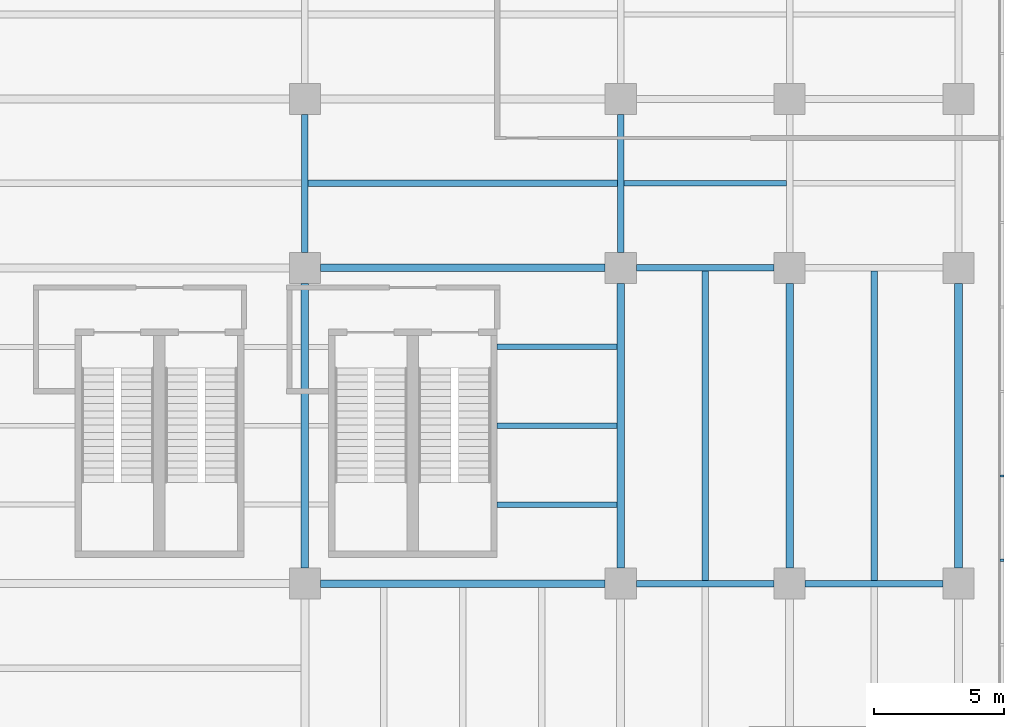
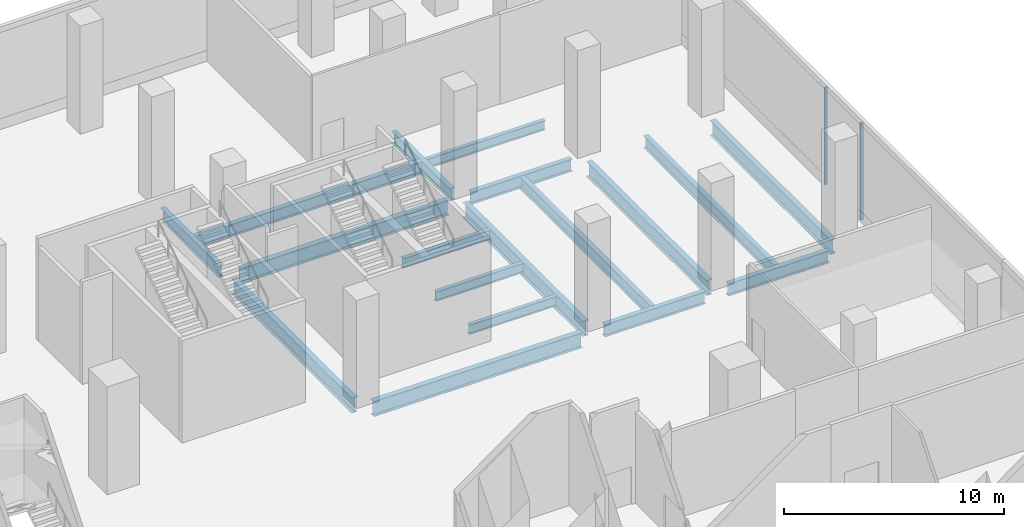
# One storey, part 26 of 41: 18 beams, 2 members, 1 element without a shape of its own.
"""IFC4 building model written with IfcOpenShell, lengths in metres."""

from ifc_helpers import new_model, si_unit, direction, frame, origin, origin_2d, place, context, subcontext, project, spatial, rectangle, i_section, extrude, source, transform, mapped, material, layer, layer_set, material_profile, profile_set, type_object, element, aggregate, save


model = new_model("IFC4")

# Units and contexts
model_context = context("Model", 3, precision=1e-05, world=origin(), true_north=direction((0.0, 1.0)))
body_context = subcontext(model_context, "Body", "Model", "MODEL_VIEW")
ifc_project = project(units=[si_unit("LENGTHUNIT", "METRE"), si_unit("AREAUNIT", "SQUARE_METRE"), si_unit("VOLUMEUNIT", "CUBIC_METRE"), si_unit("PLANEANGLEUNIT", "RADIAN"), si_unit("MASSUNIT", "GRAM", prefix="KILO")], contexts=[model_context])

# Site, building, storey
site_placement = place(None, origin())
site = spatial("IfcSite", under=ifc_project, at=site_placement, CompositionType="ELEMENT")
building_placement = place(site_placement, origin())
building = spatial("IfcBuilding", under=site, at=building_placement, Name="Trellis Farm Tower", CompositionType="ELEMENT")
storey_placement = place(building_placement, frame((0.0, 0.0, 8.0)))
storey = spatial("IfcBuildingStorey", under=building, at=storey_placement, Name="L01", CompositionType="ELEMENT", Elevation=8.0)

# Beams
ifc_material_1 = material(Name="Steel S355", Category="steel")
ifc_material_profile_1 = material_profile(ifc_material_1, i_section(OverallWidth=0.253662109375, OverallDepth=0.68359375, WebThickness=0.012451171875, FlangeThickness=0.021728515625, FilletRadius=0.01513671875, at=origin_2d()), Name="UB 686x254x140")
ifc_profile_set_1 = profile_set([ifc_material_profile_1], Name="Steel S355")
beam_type_1 = type_object("IfcBeamType", Name="UB 686x254x140", PredefinedType="BEAM", material=ifc_profile_set_1)
shared_shape_1 = source(origin(), body_context, "Body", "SweptSolid", [
    extrude(i_section(OverallWidth=0.253662109375, OverallDepth=0.68359375, WebThickness=0.012451171875, FlangeThickness=0.021728515625, FilletRadius=0.01513671875, at=origin_2d()), origin(), (0.0, 0.0, 1.0), 5.2998046875),
])
for number, where, z_axis, x_axis, name in (
    (1, (31.35009765625, 18.60009765625, -0.641845703125), (1.0, 0.0, 0.0), (0.0, 1.0, 0.0), "Girder"),
    (2, (37.85009765625, 18.60009765625, -0.641845703125), (1.0, 0.0, 0.0), (0.0, 1.0, 0.0), "Girder"),
    (3, (31.35009765625, 30.75, -0.641845703125), (1.0, 0.0, 0.0), (0.0, 1.0, 0.0), "Girder"),
    (4, (18.60009765625, 31.35009765625, -0.641845703125), (0.0, 1.0, 0.0), (-1.0, 0.0, 0.0), "Girder"),
    (5, (30.75, 31.35009765625, -0.641845703125), (0.0, 1.0, 0.0), (-1.0, 0.0, 0.0), "Girder"),
):
    element("IfcBeam", number, at=place(storey_placement, frame(where, z_axis=z_axis, x_axis=x_axis)), inside=storey, type_object=beam_type_1, Name=name, PredefinedType="BEAM", context=body_context, shape_type="MappedRepresentation", body=[
        mapped(shared_shape_1, transform((0.0, 0.0, 0.0))),
    ])
ifc_material_profile_2 = material_profile(ifc_material_1, i_section(OverallWidth=0.29248046875, OverallDepth=0.8408203125, WebThickness=0.0146484375, FlangeThickness=0.021728515625, FilletRadius=0.017822265625, at=origin_2d()), Name="UB 838x292x194")
ifc_profile_set_2 = profile_set([ifc_material_profile_2], Name="Steel S355")
beam_type_2 = type_object("IfcBeamType", Name="UB 838x292x194", PredefinedType="BEAM", material=ifc_profile_set_2)
shared_shape_2 = source(origin(), body_context, "Body", "SweptSolid", [
    extrude(i_section(OverallWidth=0.29248046875, OverallDepth=0.8408203125, WebThickness=0.0146484375, FlangeThickness=0.021728515625, FilletRadius=0.017822265625, at=origin_2d()), origin(), (0.0, 0.0, 1.0), 10.949951171875),
])
for number, where, z_axis, x_axis, name in (
    (6, (19.199951171875, 18.60009765625, -0.72021484375), (1.0, 0.0, 0.0), (0.0, 1.0, 0.0), "Girder"),
    (7, (19.199951171875, 30.75, -0.72021484375), (1.0, 0.0, 0.0), (0.0, 1.0, 0.0), "Girder"),
    (8, (18.60009765625, 19.199951171875, -0.72021484375), (0.0, 1.0, 0.0), (-1.0, 0.0, 0.0), "Girder"),
    (9, (30.75, 19.199951171875, -0.72021484375), (0.0, 1.0, 0.0), (-1.0, 0.0, 0.0), "Girder"),
    (10, (37.25, 19.199951171875, -0.72021484375), (0.0, 1.0, 0.0), (-1.0, 0.0, 0.0), "Girder"),
    (11, (43.75, 19.199951171875, -0.72021484375), (0.0, 1.0, 0.0), (-1.0, 0.0, 0.0), "Girder"),
):
    element("IfcBeam", number, at=place(storey_placement, frame(where, z_axis=z_axis, x_axis=x_axis)), inside=storey, type_object=beam_type_2, Name=name, PredefinedType="BEAM", context=body_context, shape_type="MappedRepresentation", body=[
        mapped(shared_shape_2, transform((0.0, 0.0, 0.0))),
    ])
ifc_material_profile_3 = material_profile(ifc_material_1, i_section(OverallWidth=0.253662109375, OverallDepth=0.68359375, WebThickness=0.012451171875, FlangeThickness=0.021728515625, FilletRadius=0.01513671875, at=origin_2d()), Name="UB 686x254x140")
ifc_profile_set_3 = profile_set([ifc_material_profile_3], Name="Steel S355")
beam_type_3 = type_object("IfcBeamType", Name="UB 686x254x140 joist", PredefinedType="JOIST", material=ifc_profile_set_3)
shared_shape_3 = source(origin(), body_context, "Body", "SweptSolid", [
    extrude(i_section(OverallWidth=0.253662109375, OverallDepth=0.68359375, WebThickness=0.012451171875, FlangeThickness=0.021728515625, FilletRadius=0.01513671875, at=origin_2d()), origin(), (0.0, 0.0, 1.0), 11.896240234375),
])
for number, where, z_axis, x_axis, name in (
    (12, (18.726806640625, 34.0, -0.641845703125), (1.0, 0.0, 0.0), (0.0, 1.0, 0.0), "Floor beam"),
    (13, (34.0, 18.726806640625, -0.641845703125), (0.0, 1.0, 0.0), (-1.0, 0.0, 0.0), "Floor beam"),
    (14, (40.5, 18.726806640625, -0.641845703125), (0.0, 1.0, 0.0), (-1.0, 0.0, 0.0), "Floor beam"),
):
    element("IfcBeam", number, at=place(storey_placement, frame(where, z_axis=z_axis, x_axis=x_axis)), inside=storey, type_object=beam_type_3, Name=name, PredefinedType="JOIST", context=body_context, shape_type="MappedRepresentation", body=[
        mapped(shared_shape_3, transform((0.0, 0.0, 0.0))),
    ])
ifc_material_profile_4 = material_profile(ifc_material_1, i_section(OverallWidth=0.209228515625, OverallDepth=0.533203125, WebThickness=0.010009765625, FlangeThickness=0.015625, FilletRadius=0.0126953125, at=origin_2d()), Name="UB 533x210x92")
ifc_profile_set_4 = profile_set([ifc_material_profile_4], Name="Steel S355")
beam_type_4 = type_object("IfcBeamType", Name="UB 533x210x92 joist", PredefinedType="JOIST", material=ifc_profile_set_4)
shared_shape_4 = source(origin(), body_context, "Body", "SweptSolid", [
    extrude(i_section(OverallWidth=0.209228515625, OverallDepth=0.533203125, WebThickness=0.010009765625, FlangeThickness=0.015625, FilletRadius=0.0126953125, at=origin_2d()), origin(), (0.0, 0.0, 1.0), 6.246337890625),
])
beam_placement = place(storey_placement, frame((30.876953125, 34.0, -0.56640625), z_axis=(1.0, 0.0, 0.0), x_axis=(0.0, 1.0, 0.0)))
element("IfcBeam", 15, at=beam_placement, inside=storey, type_object=beam_type_4, Name="Floor beam", PredefinedType="JOIST", context=body_context, shape_type="MappedRepresentation", body=[
    mapped(shared_shape_4, transform((0.0, 0.0, 0.0))),
])
shared_shape_5 = source(origin(), body_context, "Body", "SweptSolid", [
    extrude(i_section(OverallWidth=0.209228515625, OverallDepth=0.533203125, WebThickness=0.010009765625, FlangeThickness=0.015625, FilletRadius=0.0126953125, at=origin_2d()), origin(), (0.0, 0.0, 1.0), 4.603759765625),
])
for number, where, z_axis, x_axis, name in (
    (16, (26.0, 21.637451171875, -0.56640625), (1.0, 0.0, 0.0), (0.0, 1.0, 0.0), "Floor beam"),
    (17, (26.0, 24.675048828125, -0.56640625), (1.0, 0.0, 0.0), (0.0, 1.0, 0.0), "Floor beam"),
    (18, (26.0, 27.71240234375, -0.56640625), (1.0, 0.0, 0.0), (0.0, 1.0, 0.0), "Floor beam"),
):
    element("IfcBeam", number, at=place(storey_placement, frame(where, z_axis=z_axis, x_axis=x_axis)), inside=storey, type_object=beam_type_4, Name=name, PredefinedType="JOIST", context=body_context, shape_type="MappedRepresentation", body=[
        mapped(shared_shape_5, transform((0.0, 0.0, 0.0))),
    ])

# Curtain wall, members
ifc_material_2 = material(Name="Aluminium and glass curtain wall", Category="aluminium")
ifc_layer = layer(ifc_material_2, 0.201904296875)
ifc_layer_set = layer_set([ifc_layer], Name="SHOPFRONT CURTAIN WALL CW2")
curtain_wall_type = type_object("IfcCurtainWallType", Name="SHOPFRONT CURTAIN WALL CW2", PredefinedType="NOTDEFINED", material=ifc_layer_set)
curtain_wall_placement = place(storey_placement, origin())
curtain_wall = element("IfcCurtainWall", 19, at=curtain_wall_placement, inside=storey, type_object=curtain_wall_type, Name="CW2 002", PredefinedType="NOTDEFINED")
ifc_material_3 = material(Name="Aluminium extrusion 6063-T6", Category="aluminium")
ifc_material_profile_5 = material_profile(ifc_material_3, rectangle(XDim=0.080078125, YDim=0.14990234375, at=origin_2d()), Name="MULLION 80x150")
ifc_profile_set_5 = profile_set([ifc_material_profile_5], Name="Aluminium extrusion 6063-T6")
member_type = type_object("IfcMemberType", Name="CW2 MULLION 80x150", PredefinedType="MULLION", material=ifc_profile_set_5)
shared_shape_6 = source(origin(), body_context, "Body", "SweptSolid", [
    extrude(rectangle(XDim=0.080078125, YDim=0.14990234375, at=origin_2d()), origin(), (0.0, 0.0, 1.0), 5.39990234375),
])
member_1_placement = place(storey_placement, frame((45.425048828125, 19.5, 0.0), z_axis=(0.0, 0.0, 1.0), x_axis=(0.0, 1.0, 0.0)))
member_1 = element("IfcMember", 20, at=member_1_placement, type_object=member_type, Name="MU2 002-04", PredefinedType="MULLION", context=body_context, shape_type="MappedRepresentation", body=[
    mapped(shared_shape_6, transform((0.0, 0.0, 0.0))),
])
member_2_placement = place(storey_placement, frame((45.425048828125, 22.75, 0.0), z_axis=(0.0, 0.0, 1.0), x_axis=(0.0, 1.0, 0.0)))
member_2 = element("IfcMember", 21, at=member_2_placement, type_object=member_type, Name="MU2 002-05", PredefinedType="MULLION", context=body_context, shape_type="MappedRepresentation", body=[
    mapped(shared_shape_6, transform((0.0, 0.0, 0.0))),
])
aggregate(curtain_wall, [member_1, member_2])

save(model, "model.ifc")
